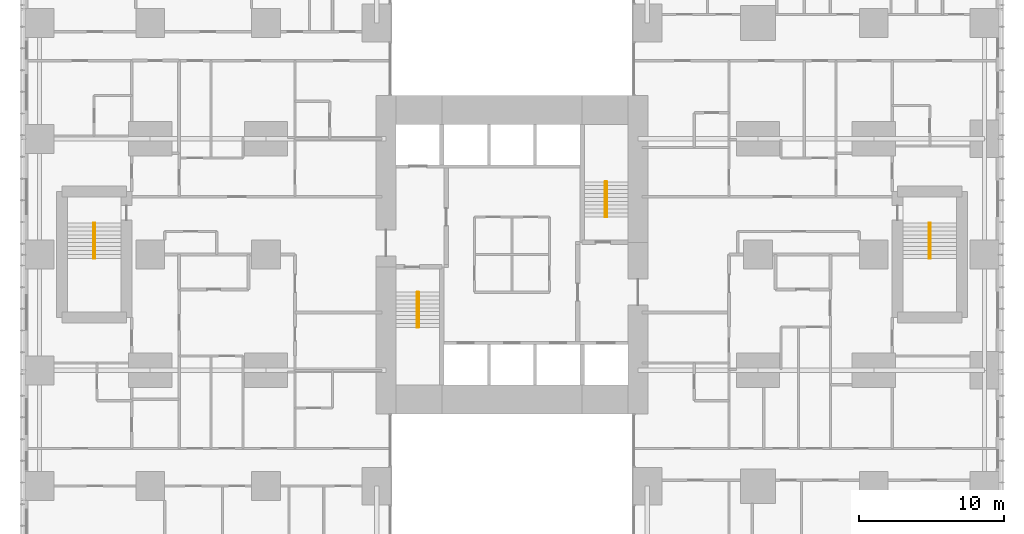
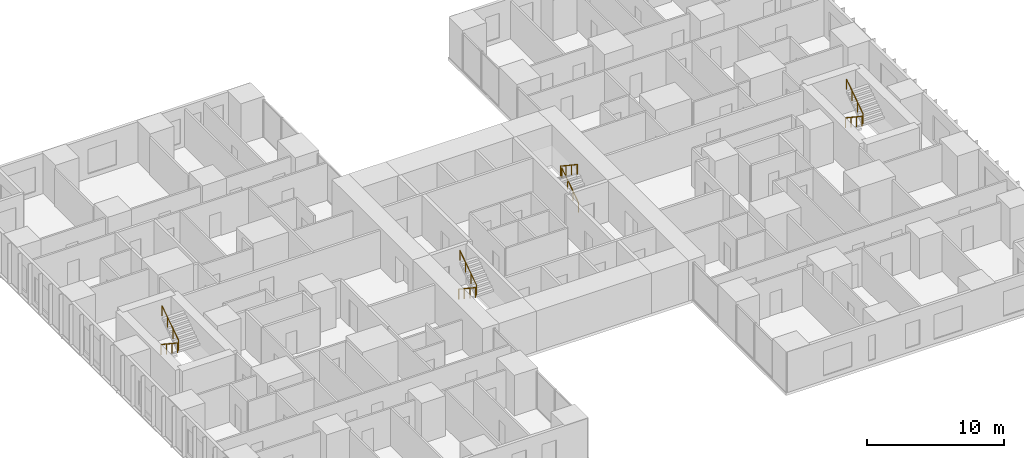
# One storey, part 20 of 20: 8 railings.
"""IFC4 building model written with IfcOpenShell, lengths in metres."""

from ifc_helpers import new_model, si_unit, direction, frame, origin, origin_2d, place, context, subcontext, project, spatial, circle, extrude, material, type_object, element, save


model = new_model("IFC4")

# Units and contexts
model_context = context("Model", 3, precision=1e-05, world=origin(), true_north=direction((0.0, 1.0)))
body_context = subcontext(model_context, "Body", "Model", "MODEL_VIEW")
ifc_project = project(units=[si_unit("LENGTHUNIT", "METRE"), si_unit("AREAUNIT", "SQUARE_METRE"), si_unit("VOLUMEUNIT", "CUBIC_METRE"), si_unit("PLANEANGLEUNIT", "RADIAN"), si_unit("MASSUNIT", "GRAM", prefix="KILO")], contexts=[model_context])

# Site, building, storey
site_placement = place(None, origin())
site = spatial("IfcSite", under=ifc_project, at=site_placement, CompositionType="ELEMENT")
building_placement = place(site_placement, origin())
building = spatial("IfcBuilding", under=site, at=building_placement, Name="Cleftline Residences", CompositionType="ELEMENT")
storey_placement = place(building_placement, frame((0.0, 0.0, 139.39990234375)))
storey = spatial("IfcBuildingStorey", under=building, at=storey_placement, Name="L36", CompositionType="ELEMENT", Elevation=139.39990234375)

# Railings
ifc_material = material(Name="Stainless steel", Category="steel")
railing_type = type_object("IfcRailingType", Name="HANDRAIL 900", PredefinedType="HANDRAIL", material=ifc_material)
railing_1_placement = place(storey_placement, frame((26.449951171875, 21.39990234375, 0.18017578125)))
element("IfcRailing", 1, at=railing_1_placement, inside=storey, type_object=railing_type, Name="Stair handrail", PredefinedType="HANDRAIL", context=body_context, shape_type="SweptSolid", body=[
    extrude(circle(Radius=0.02392578125, at=origin_2d()), frame((0.0, 0.0, 0.8759765625), z_axis=(0.0, -0.832063155534, 0.554680903946), x_axis=(1.0, 0.0, 0.0)), (0.0, 0.0, 1.0), 2.92041015625),
    extrude(circle(Radius=0.02099609375, at=origin_2d()), origin(), (0.0, 0.0, 1.0), 0.851806640625),
    extrude(circle(Radius=0.02099609375, at=origin_2d()), frame((0.0, -0.81005859375, 0.5400390625)), (0.0, 0.0, 1.0), 0.851806640625),
    extrude(circle(Radius=0.02099609375, at=origin_2d()), frame((0.0, -1.619873046875, 1.079833984375)), (0.0, 0.0, 1.0), 0.851806640625),
    extrude(circle(Radius=0.02099609375, at=origin_2d()), frame((0.0, -2.429931640625, 1.619873046875)), (0.0, 0.0, 1.0), 0.851806640625),
])
railing_2_placement = place(storey_placement, frame((26.550048828125, 18.969970703125, 1.97998046875)))
element("IfcRailing", 2, at=railing_2_placement, inside=storey, type_object=railing_type, Name="Stair handrail", PredefinedType="HANDRAIL", context=body_context, shape_type="SweptSolid", body=[
    extrude(circle(Radius=0.02392578125, at=origin_2d()), frame((0.0, 0.0, 0.8759765625), z_axis=(0.0, 0.832024571796, 0.554738778101), x_axis=(-1.0, 0.0, 0.0)), (0.0, 0.0, 1.0), 2.92041015625),
    extrude(circle(Radius=0.02099609375, at=origin_2d()), origin(), (0.0, 0.0, 1.0), 0.851806640625),
    extrude(circle(Radius=0.02099609375, at=origin_2d()), frame((0.0, 0.81005859375, 0.5400390625)), (0.0, 0.0, 1.0), 0.851806640625),
    extrude(circle(Radius=0.02099609375, at=origin_2d()), frame((0.0, 1.619873046875, 1.080078125)), (0.0, 0.0, 1.0), 0.851806640625),
    extrude(circle(Radius=0.02099609375, at=origin_2d()), frame((0.0, 2.429931640625, 1.6201171875)), (0.0, 0.0, 1.0), 0.851806640625),
])
railing_3_placement = place(storey_placement, frame((39.550048828125, 26.60009765625, 0.18017578125)))
element("IfcRailing", 3, at=railing_3_placement, inside=storey, type_object=railing_type, Name="Stair handrail", PredefinedType="HANDRAIL", context=body_context, shape_type="SweptSolid", body=[
    extrude(circle(Radius=0.02392578125, at=origin_2d()), frame((0.0, 0.0, 0.8759765625), z_axis=(0.0, 0.832063155534, 0.554680903946), x_axis=(-1.0, 0.0, 0.0)), (0.0, 0.0, 1.0), 2.92041015625),
    extrude(circle(Radius=0.02099609375, at=origin_2d()), origin(), (0.0, 0.0, 1.0), 0.851806640625),
    extrude(circle(Radius=0.02099609375, at=origin_2d()), frame((0.0, 0.81005859375, 0.5400390625)), (0.0, 0.0, 1.0), 0.851806640625),
    extrude(circle(Radius=0.02099609375, at=origin_2d()), frame((0.0, 1.619873046875, 1.079833984375)), (0.0, 0.0, 1.0), 0.851806640625),
    extrude(circle(Radius=0.02099609375, at=origin_2d()), frame((0.0, 2.429931640625, 1.619873046875)), (0.0, 0.0, 1.0), 0.851806640625),
])
railing_4_placement = place(storey_placement, frame((39.449951171875, 29.030029296875, 1.97998046875)))
element("IfcRailing", 4, at=railing_4_placement, inside=storey, type_object=railing_type, Name="Stair handrail", PredefinedType="HANDRAIL", context=body_context, shape_type="SweptSolid", body=[
    extrude(circle(Radius=0.02392578125, at=origin_2d()), frame((0.0, 0.0, 0.8759765625), z_axis=(0.0, -0.832024571796, 0.554738778101), x_axis=(1.0, 0.0, 0.0)), (0.0, 0.0, 1.0), 2.92041015625),
    extrude(circle(Radius=0.02099609375, at=origin_2d()), origin(), (0.0, 0.0, 1.0), 0.851806640625),
    extrude(circle(Radius=0.02099609375, at=origin_2d()), frame((0.0, -0.81005859375, 0.5400390625)), (0.0, 0.0, 1.0), 0.851806640625),
    extrude(circle(Radius=0.02099609375, at=origin_2d()), frame((0.0, -1.619873046875, 1.080078125)), (0.0, 0.0, 1.0), 0.851806640625),
    extrude(circle(Radius=0.02099609375, at=origin_2d()), frame((0.0, -2.429931640625, 1.6201171875)), (0.0, 0.0, 1.0), 0.851806640625),
])
railing_5_placement = place(storey_placement, frame((61.824951171875, 26.175048828125, 0.18017578125)))
element("IfcRailing", 5, at=railing_5_placement, inside=storey, type_object=railing_type, Name="Stair handrail", PredefinedType="HANDRAIL", context=body_context, shape_type="SweptSolid", body=[
    extrude(circle(Radius=0.02392578125, at=origin_2d()), frame((0.0, 0.0, 0.8759765625), z_axis=(0.0, -0.832063155534, 0.554680903946), x_axis=(1.0, 0.0, 0.0)), (0.0, 0.0, 1.0), 2.92041015625),
    extrude(circle(Radius=0.02099609375, at=origin_2d()), origin(), (0.0, 0.0, 1.0), 0.851806640625),
    extrude(circle(Radius=0.02099609375, at=origin_2d()), frame((0.0, -0.81005859375, 0.5400390625)), (0.0, 0.0, 1.0), 0.851806640625),
    extrude(circle(Radius=0.02099609375, at=origin_2d()), frame((0.0, -1.619873046875, 1.079833984375)), (0.0, 0.0, 1.0), 0.851806640625),
    extrude(circle(Radius=0.02099609375, at=origin_2d()), frame((0.0, -2.429931640625, 1.619873046875)), (0.0, 0.0, 1.0), 0.851806640625),
])
railing_6_placement = place(storey_placement, frame((61.925048828125, 23.7451171875, 1.97998046875)))
element("IfcRailing", 6, at=railing_6_placement, inside=storey, type_object=railing_type, Name="Stair handrail", PredefinedType="HANDRAIL", context=body_context, shape_type="SweptSolid", body=[
    extrude(circle(Radius=0.02392578125, at=origin_2d()), frame((0.0, 0.0, 0.8759765625), z_axis=(0.0, 0.832024571796, 0.554738778101), x_axis=(-1.0, 0.0, 0.0)), (0.0, 0.0, 1.0), 2.92041015625),
    extrude(circle(Radius=0.02099609375, at=origin_2d()), origin(), (0.0, 0.0, 1.0), 0.851806640625),
    extrude(circle(Radius=0.02099609375, at=origin_2d()), frame((0.0, 0.81005859375, 0.5400390625)), (0.0, 0.0, 1.0), 0.851806640625),
    extrude(circle(Radius=0.02099609375, at=origin_2d()), frame((0.0, 1.619873046875, 1.080078125)), (0.0, 0.0, 1.0), 0.851806640625),
    extrude(circle(Radius=0.02099609375, at=origin_2d()), frame((0.0, 2.429931640625, 1.6201171875)), (0.0, 0.0, 1.0), 0.851806640625),
])
railing_7_placement = place(storey_placement, frame((4.074951171875, 26.175048828125, 0.18017578125)))
element("IfcRailing", 7, at=railing_7_placement, inside=storey, type_object=railing_type, Name="Stair handrail", PredefinedType="HANDRAIL", context=body_context, shape_type="SweptSolid", body=[
    extrude(circle(Radius=0.02392578125, at=origin_2d()), frame((0.0, 0.0, 0.8759765625), z_axis=(0.0, -0.832063155534, 0.554680903946), x_axis=(1.0, 0.0, 0.0)), (0.0, 0.0, 1.0), 2.92041015625),
    extrude(circle(Radius=0.02099609375, at=origin_2d()), origin(), (0.0, 0.0, 1.0), 0.851806640625),
    extrude(circle(Radius=0.02099609375, at=origin_2d()), frame((0.0, -0.81005859375, 0.5400390625)), (0.0, 0.0, 1.0), 0.851806640625),
    extrude(circle(Radius=0.02099609375, at=origin_2d()), frame((0.0, -1.619873046875, 1.079833984375)), (0.0, 0.0, 1.0), 0.851806640625),
    extrude(circle(Radius=0.02099609375, at=origin_2d()), frame((0.0, -2.429931640625, 1.619873046875)), (0.0, 0.0, 1.0), 0.851806640625),
])
railing_8_placement = place(storey_placement, frame((4.175048828125, 23.7451171875, 1.97998046875)))
element("IfcRailing", 8, at=railing_8_placement, inside=storey, type_object=railing_type, Name="Stair handrail", PredefinedType="HANDRAIL", context=body_context, shape_type="SweptSolid", body=[
    extrude(circle(Radius=0.02392578125, at=origin_2d()), frame((0.0, 0.0, 0.8759765625), z_axis=(0.0, 0.832024571796, 0.554738778101), x_axis=(-1.0, 0.0, 0.0)), (0.0, 0.0, 1.0), 2.92041015625),
    extrude(circle(Radius=0.02099609375, at=origin_2d()), origin(), (0.0, 0.0, 1.0), 0.851806640625),
    extrude(circle(Radius=0.02099609375, at=origin_2d()), frame((0.0, 0.81005859375, 0.5400390625)), (0.0, 0.0, 1.0), 0.851806640625),
    extrude(circle(Radius=0.02099609375, at=origin_2d()), frame((0.0, 1.619873046875, 1.080078125)), (0.0, 0.0, 1.0), 0.851806640625),
    extrude(circle(Radius=0.02099609375, at=origin_2d()), frame((0.0, 2.429931640625, 1.6201171875)), (0.0, 0.0, 1.0), 0.851806640625),
])

save(model, "model.ifc")
